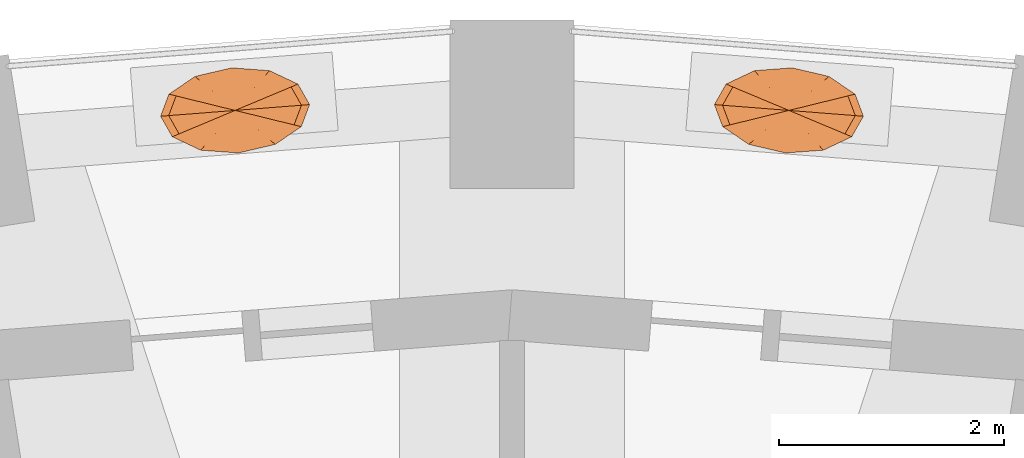
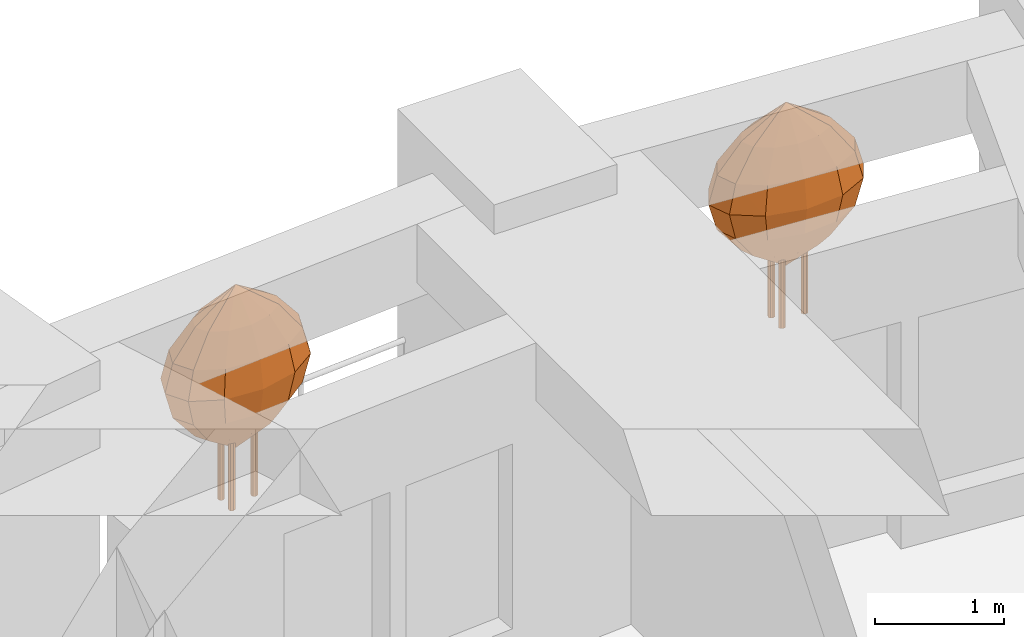
# One storey, part 13 of 13: 2 geographic elements.
"""IFC4 building model written with IfcOpenShell, lengths in metres."""

from ifc_helpers import new_model, si_unit, direction, frame, origin, place, context, subcontext, project, spatial, faceted_brep, material, constituent, constituent_set, type_object, element, save


model = new_model("IFC4")

# Units and contexts
model_context = context("Model", 3, precision=1e-05, world=origin(), true_north=direction((0.0, 1.0)))
body_context = subcontext(model_context, "Body", "Model", "MODEL_VIEW")
ifc_project = project(units=[si_unit("LENGTHUNIT", "METRE"), si_unit("AREAUNIT", "SQUARE_METRE"), si_unit("VOLUMEUNIT", "CUBIC_METRE"), si_unit("PLANEANGLEUNIT", "RADIAN"), si_unit("MASSUNIT", "GRAM", prefix="KILO")], contexts=[model_context])

# Site, building, storey
site_placement = place(None, origin())
site = spatial("IfcSite", under=ifc_project, at=site_placement, CompositionType="ELEMENT")
building_placement = place(site_placement, origin())
building = spatial("IfcBuilding", under=site, at=building_placement, Name="Taillehof Tower", CompositionType="ELEMENT")
storey_placement = place(building_placement, frame((0.0, 0.0, 51.39990234375)))
storey = spatial("IfcBuildingStorey", under=building, at=storey_placement, Name="L13", CompositionType="ELEMENT", Elevation=51.39990234375)

# Geographic elements
ifc_material_1 = material(Name="Tree bark", Category="timber")
ifc_constituent_1 = constituent(ifc_material_1, Name="Trunk", Category="timber")
ifc_material_2 = material(Name="Tree foliage")
ifc_constituent_2 = constituent(ifc_material_2, Name="Crown")
ifc_constituent_set = constituent_set(constituents=[ifc_constituent_1, ifc_constituent_2], Name="Tree TR3 Multi-stem serviceberry")
geographic_element_type = type_object("IfcGeographicElementType", Name="Tree TR3 Multi-stem serviceberry", PredefinedType="USERDEFINED", material=ifc_constituent_set)
geographic_element_1_placement = place(storey_placement, frame((2.463623046875, 25.195556640625, 0.75)))
element("IfcGeographicElement", 1, at=geographic_element_1_placement, inside=storey, type_object=geographic_element_type, Name="Tree TR3 Multi-stem serviceberry", ObjectType="TREE", PredefinedType="USERDEFINED", context=body_context, shape_type="Brep", body=[
    faceted_brep([(0.195068359375, 0.0, 0.0), (0.186767578125, 0.0205078125, 0.0), (0.186767578125, 0.0205078125, 1.04248046875), (0.195068359375, 0.0, 1.04248046875), (0.166259765625, 0.02880859375, 0.0), (0.166259765625, 0.02880859375, 1.04248046875), (0.145751953125, 0.0205078125, 0.0), (0.145751953125, 0.0205078125, 1.04248046875), (0.137451171875, 0.0, 0.0), (0.137451171875, 0.0, 1.04248046875), (0.145751953125, -0.0205078125, 0.0), (0.145751953125, -0.0205078125, 1.04248046875), (0.166259765625, -0.02880859375, 0.0), (0.166259765625, -0.02880859375, 1.04248046875), (0.186767578125, -0.0205078125, 0.0), (0.186767578125, -0.0205078125, 1.04248046875)], [[[0, 1, 2, 3]], [[1, 4, 5, 2]], [[4, 6, 7, 5]], [[6, 8, 9, 7]], [[8, 10, 11, 9]], [[10, 12, 13, 11]], [[12, 14, 15, 13]], [[14, 0, 3, 15]], [[14, 12, 10, 8, 6, 4, 1, 0]], [[3, 2, 5, 7, 9, 11, 13, 15]]]),
    faceted_brep([(-0.05419921875, 0.082275390625, 0.0), (-0.062744140625, 0.102783203125, 0.0), (-0.062744140625, 0.102783203125, 1.04248046875), (-0.05419921875, 0.082275390625, 1.04248046875), (-0.0830078125, 0.111083984375, 0.0), (-0.0830078125, 0.111083984375, 1.04248046875), (-0.103515625, 0.102783203125, 0.0), (-0.103515625, 0.102783203125, 1.04248046875), (-0.112060546875, 0.082275390625, 0.0), (-0.112060546875, 0.082275390625, 1.04248046875), (-0.103515625, 0.061767578125, 0.0), (-0.103515625, 0.061767578125, 1.04248046875), (-0.0830078125, 0.053466796875, 0.0), (-0.0830078125, 0.053466796875, 1.04248046875), (-0.062744140625, 0.061767578125, 0.0), (-0.062744140625, 0.061767578125, 1.04248046875)], [[[0, 1, 2, 3]], [[1, 4, 5, 2]], [[4, 6, 7, 5]], [[6, 8, 9, 7]], [[8, 10, 11, 9]], [[10, 12, 13, 11]], [[12, 14, 15, 13]], [[14, 0, 3, 15]], [[14, 12, 10, 8, 6, 4, 1, 0]], [[3, 2, 5, 7, 9, 11, 13, 15]]]),
    faceted_brep([(-0.05419921875, -0.082275390625, 0.0), (-0.062744140625, -0.061767578125, 0.0), (-0.062744140625, -0.061767578125, 1.04248046875), (-0.05419921875, -0.082275390625, 1.04248046875), (-0.0830078125, -0.053466796875, 0.0), (-0.0830078125, -0.053466796875, 1.04248046875), (-0.103515625, -0.061767578125, 0.0), (-0.103515625, -0.061767578125, 1.04248046875), (-0.112060546875, -0.082275390625, 0.0), (-0.112060546875, -0.082275390625, 1.04248046875), (-0.103515625, -0.102783203125, 0.0), (-0.103515625, -0.102783203125, 1.04248046875), (-0.0830078125, -0.111083984375, 0.0), (-0.0830078125, -0.111083984375, 1.04248046875), (-0.062744140625, -0.102783203125, 0.0), (-0.062744140625, -0.102783203125, 1.04248046875)], [[[0, 1, 2, 3]], [[1, 4, 5, 2]], [[4, 6, 7, 5]], [[6, 8, 9, 7]], [[8, 10, 11, 9]], [[10, 12, 13, 11]], [[12, 14, 15, 13]], [[14, 0, 3, 15]], [[14, 12, 10, 8, 6, 4, 1, 0]], [[3, 2, 5, 7, 9, 11, 13, 15]]]),
    faceted_brep([(0.0, 0.0, 0.5), (-0.33837890625, -0.0830078125, 0.75830078125), (-0.380859375, 0.02978515625, 0.75830078125), (-0.205078125, -0.173583984375, 0.75830078125), (-0.01708984375, -0.217529296875, 0.75830078125), (0.175537109375, -0.203369140625, 0.75830078125), (0.3212890625, -0.134521484375, 0.75830078125), (0.380859375, -0.02978515625, 0.75830078125), (0.33837890625, 0.0830078125, 0.75830078125), (0.205078125, 0.173583984375, 0.75830078125), (0.01708984375, 0.217529296875, 0.75830078125), (-0.175537109375, 0.203369140625, 0.75830078125), (-0.3212890625, 0.134521484375, 0.75830078125), (-0.52490234375, -0.12890625, 1.0166015625), (-0.5908203125, 0.046142578125, 1.0166015625), (-0.318359375, -0.269287109375, 1.0166015625), (-0.0263671875, -0.337646484375, 1.0166015625), (0.272705078125, -0.3154296875, 1.0166015625), (0.49853515625, -0.208740234375, 1.0166015625), (0.5908203125, -0.046142578125, 1.0166015625), (0.52490234375, 0.12890625, 1.0166015625), (0.318359375, 0.269287109375, 1.0166015625), (0.0263671875, 0.337646484375, 1.0166015625), (-0.272705078125, 0.3154296875, 1.0166015625), (-0.49853515625, 0.208740234375, 1.0166015625), (-0.5888671875, -0.14453125, 1.27490234375), (-0.6630859375, 0.0517578125, 1.27490234375), (-0.357177734375, -0.30224609375, 1.27490234375), (-0.029541015625, -0.37890625, 1.27490234375), (0.305908203125, -0.35400390625, 1.27490234375), (0.559326171875, -0.234375, 1.27490234375), (0.6630859375, -0.0517578125, 1.27490234375), (0.5888671875, 0.14453125, 1.27490234375), (0.357177734375, 0.30224609375, 1.27490234375), (0.029541015625, 0.37890625, 1.27490234375), (-0.305908203125, 0.35400390625, 1.27490234375), (-0.559326171875, 0.234375, 1.27490234375), (-0.52490234375, -0.12890625, 1.533447265625), (-0.5908203125, 0.046142578125, 1.533447265625), (-0.318359375, -0.269287109375, 1.533447265625), (-0.0263671875, -0.337646484375, 1.533447265625), (0.272705078125, -0.3154296875, 1.533447265625), (0.49853515625, -0.208740234375, 1.533447265625), (0.5908203125, -0.046142578125, 1.533447265625), (0.52490234375, 0.12890625, 1.533447265625), (0.318359375, 0.269287109375, 1.533447265625), (0.0263671875, 0.337646484375, 1.533447265625), (-0.272705078125, 0.3154296875, 1.533447265625), (-0.49853515625, 0.208740234375, 1.533447265625), (-0.33837890625, -0.0830078125, 1.791748046875), (-0.380859375, 0.02978515625, 1.791748046875), (-0.205078125, -0.173583984375, 1.791748046875), (-0.01708984375, -0.217529296875, 1.791748046875), (0.175537109375, -0.203369140625, 1.791748046875), (0.3212890625, -0.134521484375, 1.791748046875), (0.380859375, -0.02978515625, 1.791748046875), (0.33837890625, 0.0830078125, 1.791748046875), (0.205078125, 0.173583984375, 1.791748046875), (0.01708984375, 0.217529296875, 1.791748046875), (-0.175537109375, 0.203369140625, 1.791748046875), (-0.3212890625, 0.134521484375, 1.791748046875), (0.0, 0.0, 2.050048828125)], [[[0, 1, 2]], [[0, 3, 1]], [[0, 4, 3]], [[0, 5, 4]], [[0, 6, 5]], [[0, 7, 6]], [[0, 8, 7]], [[0, 9, 8]], [[0, 10, 9]], [[0, 11, 10]], [[0, 12, 11]], [[0, 2, 12]], [[2, 1, 13, 14]], [[1, 3, 15, 13]], [[3, 4, 16, 15]], [[4, 5, 17, 16]], [[5, 6, 18, 17]], [[6, 7, 19, 18]], [[7, 8, 20, 19]], [[8, 9, 21, 20]], [[9, 10, 22, 21]], [[10, 11, 23, 22]], [[11, 12, 24, 23]], [[12, 2, 14, 24]], [[14, 13, 25, 26]], [[13, 15, 27, 25]], [[15, 16, 28, 27]], [[16, 17, 29, 28]], [[17, 18, 30, 29]], [[18, 19, 31, 30]], [[19, 20, 32, 31]], [[20, 21, 33, 32]], [[21, 22, 34, 33]], [[22, 23, 35, 34]], [[23, 24, 36, 35]], [[24, 14, 26, 36]], [[26, 25, 37, 38]], [[25, 27, 39, 37]], [[27, 28, 40, 39]], [[28, 29, 41, 40]], [[29, 30, 42, 41]], [[30, 31, 43, 42]], [[31, 32, 44, 43]], [[32, 33, 45, 44]], [[33, 34, 46, 45]], [[34, 35, 47, 46]], [[35, 36, 48, 47]], [[36, 26, 38, 48]], [[38, 37, 49, 50]], [[37, 39, 51, 49]], [[39, 40, 52, 51]], [[40, 41, 53, 52]], [[41, 42, 54, 53]], [[42, 43, 55, 54]], [[43, 44, 56, 55]], [[44, 45, 57, 56]], [[45, 46, 58, 57]], [[46, 47, 59, 58]], [[47, 48, 60, 59]], [[48, 38, 50, 60]], [[50, 49, 61]], [[49, 51, 61]], [[51, 52, 61]], [[52, 53, 61]], [[53, 54, 61]], [[54, 55, 61]], [[55, 56, 61]], [[56, 57, 61]], [[57, 58, 61]], [[58, 59, 61]], [[59, 60, 61]], [[60, 50, 61]]]),
])
geographic_element_2_placement = place(storey_placement, frame((-2.463623046875, 25.195556640625, 0.75)))
element("IfcGeographicElement", 2, at=geographic_element_2_placement, inside=storey, type_object=geographic_element_type, Name="Tree TR3 Multi-stem serviceberry", ObjectType="TREE", PredefinedType="USERDEFINED", context=body_context, shape_type="Brep", body=[
    faceted_brep([(0.195068359375, 0.0, 0.0), (0.186767578125, 0.0205078125, 0.0), (0.186767578125, 0.0205078125, 1.04248046875), (0.195068359375, 0.0, 1.04248046875), (0.166259765625, 0.02880859375, 0.0), (0.166259765625, 0.02880859375, 1.04248046875), (0.145751953125, 0.0205078125, 0.0), (0.145751953125, 0.0205078125, 1.04248046875), (0.137451171875, 0.0, 0.0), (0.137451171875, 0.0, 1.04248046875), (0.145751953125, -0.0205078125, 0.0), (0.145751953125, -0.0205078125, 1.04248046875), (0.166259765625, -0.02880859375, 0.0), (0.166259765625, -0.02880859375, 1.04248046875), (0.186767578125, -0.0205078125, 0.0), (0.186767578125, -0.0205078125, 1.04248046875)], [[[0, 1, 2, 3]], [[1, 4, 5, 2]], [[4, 6, 7, 5]], [[6, 8, 9, 7]], [[8, 10, 11, 9]], [[10, 12, 13, 11]], [[12, 14, 15, 13]], [[14, 0, 3, 15]], [[14, 12, 10, 8, 6, 4, 1, 0]], [[3, 2, 5, 7, 9, 11, 13, 15]]]),
    faceted_brep([(-0.05419921875, 0.082275390625, 0.0), (-0.062744140625, 0.102783203125, 0.0), (-0.062744140625, 0.102783203125, 1.04248046875), (-0.05419921875, 0.082275390625, 1.04248046875), (-0.0830078125, 0.111083984375, 0.0), (-0.0830078125, 0.111083984375, 1.04248046875), (-0.103515625, 0.102783203125, 0.0), (-0.103515625, 0.102783203125, 1.04248046875), (-0.112060546875, 0.082275390625, 0.0), (-0.112060546875, 0.082275390625, 1.04248046875), (-0.103515625, 0.061767578125, 0.0), (-0.103515625, 0.061767578125, 1.04248046875), (-0.0830078125, 0.053466796875, 0.0), (-0.0830078125, 0.053466796875, 1.04248046875), (-0.062744140625, 0.061767578125, 0.0), (-0.062744140625, 0.061767578125, 1.04248046875)], [[[0, 1, 2, 3]], [[1, 4, 5, 2]], [[4, 6, 7, 5]], [[6, 8, 9, 7]], [[8, 10, 11, 9]], [[10, 12, 13, 11]], [[12, 14, 15, 13]], [[14, 0, 3, 15]], [[14, 12, 10, 8, 6, 4, 1, 0]], [[3, 2, 5, 7, 9, 11, 13, 15]]]),
    faceted_brep([(-0.05419921875, -0.082275390625, 0.0), (-0.062744140625, -0.061767578125, 0.0), (-0.062744140625, -0.061767578125, 1.04248046875), (-0.05419921875, -0.082275390625, 1.04248046875), (-0.0830078125, -0.053466796875, 0.0), (-0.0830078125, -0.053466796875, 1.04248046875), (-0.103515625, -0.061767578125, 0.0), (-0.103515625, -0.061767578125, 1.04248046875), (-0.112060546875, -0.082275390625, 0.0), (-0.112060546875, -0.082275390625, 1.04248046875), (-0.103515625, -0.102783203125, 0.0), (-0.103515625, -0.102783203125, 1.04248046875), (-0.0830078125, -0.111083984375, 0.0), (-0.0830078125, -0.111083984375, 1.04248046875), (-0.062744140625, -0.102783203125, 0.0), (-0.062744140625, -0.102783203125, 1.04248046875)], [[[0, 1, 2, 3]], [[1, 4, 5, 2]], [[4, 6, 7, 5]], [[6, 8, 9, 7]], [[8, 10, 11, 9]], [[10, 12, 13, 11]], [[12, 14, 15, 13]], [[14, 0, 3, 15]], [[14, 12, 10, 8, 6, 4, 1, 0]], [[3, 2, 5, 7, 9, 11, 13, 15]]]),
    faceted_brep([(0.0, 0.0, 0.5), (-0.3212890625, -0.134521484375, 0.75830078125), (-0.380859375, -0.02978515625, 0.75830078125), (-0.175537109375, -0.203369140625, 0.75830078125), (0.01708984375, -0.217529296875, 0.75830078125), (0.205078125, -0.173583984375, 0.75830078125), (0.33837890625, -0.0830078125, 0.75830078125), (0.380859375, 0.02978515625, 0.75830078125), (0.3212890625, 0.134521484375, 0.75830078125), (0.175537109375, 0.203369140625, 0.75830078125), (-0.01708984375, 0.217529296875, 0.75830078125), (-0.205078125, 0.173583984375, 0.75830078125), (-0.33837890625, 0.0830078125, 0.75830078125), (-0.49853515625, -0.208740234375, 1.0166015625), (-0.5908203125, -0.046142578125, 1.0166015625), (-0.272705078125, -0.3154296875, 1.0166015625), (0.0263671875, -0.337646484375, 1.0166015625), (0.318359375, -0.269287109375, 1.0166015625), (0.52490234375, -0.12890625, 1.0166015625), (0.5908203125, 0.046142578125, 1.0166015625), (0.49853515625, 0.208740234375, 1.0166015625), (0.272705078125, 0.3154296875, 1.0166015625), (-0.0263671875, 0.337646484375, 1.0166015625), (-0.318359375, 0.269287109375, 1.0166015625), (-0.52490234375, 0.12890625, 1.0166015625), (-0.559326171875, -0.234375, 1.27490234375), (-0.6630859375, -0.0517578125, 1.27490234375), (-0.305908203125, -0.35400390625, 1.27490234375), (0.029541015625, -0.37890625, 1.27490234375), (0.357177734375, -0.30224609375, 1.27490234375), (0.5888671875, -0.14453125, 1.27490234375), (0.6630859375, 0.0517578125, 1.27490234375), (0.559326171875, 0.234375, 1.27490234375), (0.305908203125, 0.35400390625, 1.27490234375), (-0.029541015625, 0.37890625, 1.27490234375), (-0.357177734375, 0.30224609375, 1.27490234375), (-0.5888671875, 0.14453125, 1.27490234375), (-0.49853515625, -0.208740234375, 1.533447265625), (-0.5908203125, -0.046142578125, 1.533447265625), (-0.272705078125, -0.3154296875, 1.533447265625), (0.0263671875, -0.337646484375, 1.533447265625), (0.318359375, -0.269287109375, 1.533447265625), (0.52490234375, -0.12890625, 1.533447265625), (0.5908203125, 0.046142578125, 1.533447265625), (0.49853515625, 0.208740234375, 1.533447265625), (0.272705078125, 0.3154296875, 1.533447265625), (-0.0263671875, 0.337646484375, 1.533447265625), (-0.318359375, 0.269287109375, 1.533447265625), (-0.52490234375, 0.12890625, 1.533447265625), (-0.3212890625, -0.134521484375, 1.791748046875), (-0.380859375, -0.02978515625, 1.791748046875), (-0.175537109375, -0.203369140625, 1.791748046875), (0.01708984375, -0.217529296875, 1.791748046875), (0.205078125, -0.173583984375, 1.791748046875), (0.33837890625, -0.0830078125, 1.791748046875), (0.380859375, 0.02978515625, 1.791748046875), (0.3212890625, 0.134521484375, 1.791748046875), (0.175537109375, 0.203369140625, 1.791748046875), (-0.01708984375, 0.217529296875, 1.791748046875), (-0.205078125, 0.173583984375, 1.791748046875), (-0.33837890625, 0.0830078125, 1.791748046875), (0.0, 0.0, 2.050048828125)], [[[0, 1, 2]], [[0, 3, 1]], [[0, 4, 3]], [[0, 5, 4]], [[0, 6, 5]], [[0, 7, 6]], [[0, 8, 7]], [[0, 9, 8]], [[0, 10, 9]], [[0, 11, 10]], [[0, 12, 11]], [[0, 2, 12]], [[2, 1, 13, 14]], [[1, 3, 15, 13]], [[3, 4, 16, 15]], [[4, 5, 17, 16]], [[5, 6, 18, 17]], [[6, 7, 19, 18]], [[7, 8, 20, 19]], [[8, 9, 21, 20]], [[9, 10, 22, 21]], [[10, 11, 23, 22]], [[11, 12, 24, 23]], [[12, 2, 14, 24]], [[14, 13, 25, 26]], [[13, 15, 27, 25]], [[15, 16, 28, 27]], [[16, 17, 29, 28]], [[17, 18, 30, 29]], [[18, 19, 31, 30]], [[19, 20, 32, 31]], [[20, 21, 33, 32]], [[21, 22, 34, 33]], [[22, 23, 35, 34]], [[23, 24, 36, 35]], [[24, 14, 26, 36]], [[26, 25, 37, 38]], [[25, 27, 39, 37]], [[27, 28, 40, 39]], [[28, 29, 41, 40]], [[29, 30, 42, 41]], [[30, 31, 43, 42]], [[31, 32, 44, 43]], [[32, 33, 45, 44]], [[33, 34, 46, 45]], [[34, 35, 47, 46]], [[35, 36, 48, 47]], [[36, 26, 38, 48]], [[38, 37, 49, 50]], [[37, 39, 51, 49]], [[39, 40, 52, 51]], [[40, 41, 53, 52]], [[41, 42, 54, 53]], [[42, 43, 55, 54]], [[43, 44, 56, 55]], [[44, 45, 57, 56]], [[45, 46, 58, 57]], [[46, 47, 59, 58]], [[47, 48, 60, 59]], [[48, 38, 50, 60]], [[50, 49, 61]], [[49, 51, 61]], [[51, 52, 61]], [[52, 53, 61]], [[53, 54, 61]], [[54, 55, 61]], [[55, 56, 61]], [[56, 57, 61]], [[57, 58, 61]], [[58, 59, 61]], [[59, 60, 61]], [[60, 50, 61]]]),
])

save(model, "model.ifc")
